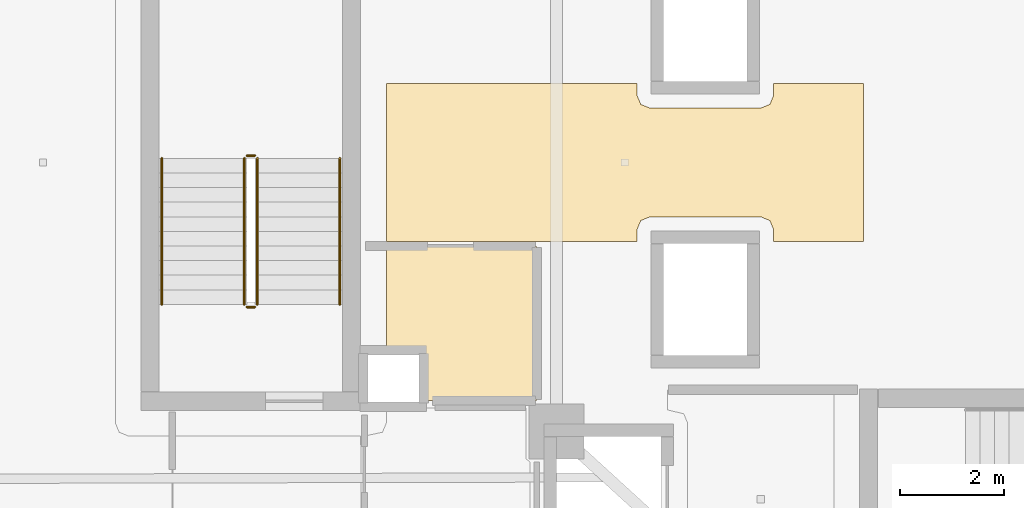
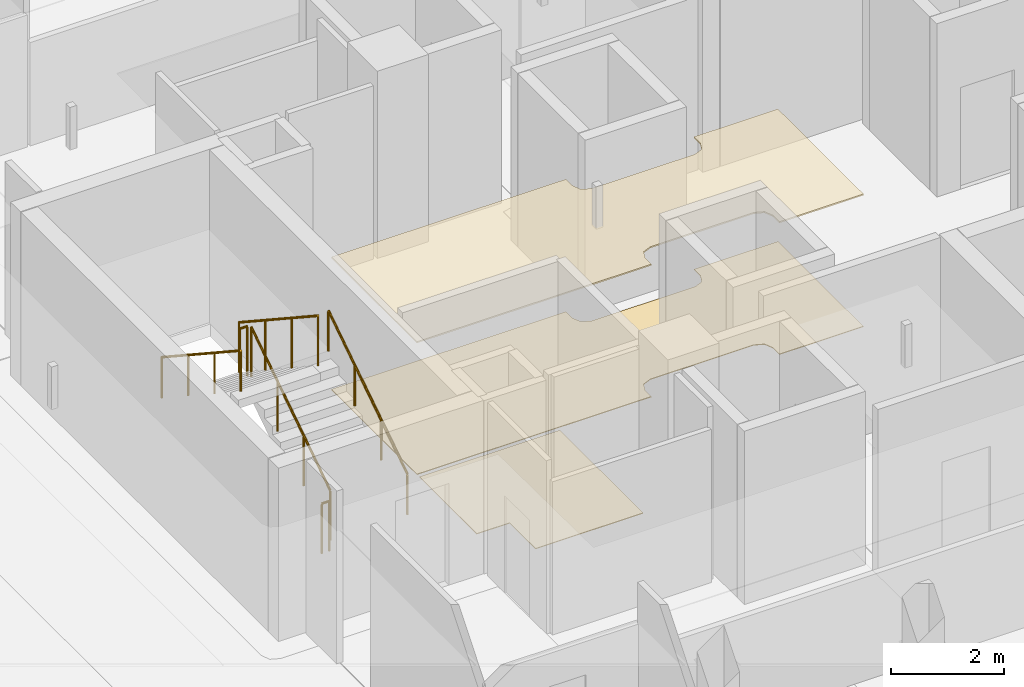
# One storey, part 31 of 36: 6 railings, 3 coverings.
"""IFC4 building model written with IfcOpenShell, lengths in metres."""

from ifc_helpers import new_model, si_unit, direction, frame, origin, origin_2d, place, context, subcontext, project, spatial, polyline, circle, outline, extrude, material, layer, layer_set, type_object, element, save


model = new_model("IFC4")

# Units and contexts
model_context = context("Model", 3, precision=1e-05, world=origin(), true_north=direction((0.0, 1.0)))
body_context = subcontext(model_context, "Body", "Model", "MODEL_VIEW")
ifc_project = project(units=[si_unit("LENGTHUNIT", "METRE"), si_unit("AREAUNIT", "SQUARE_METRE"), si_unit("VOLUMEUNIT", "CUBIC_METRE"), si_unit("PLANEANGLEUNIT", "RADIAN"), si_unit("MASSUNIT", "GRAM", prefix="KILO")], contexts=[model_context])

# Site, building, storey
site_placement = place(None, origin())
site = spatial("IfcSite", under=ifc_project, at=site_placement, CompositionType="ELEMENT")
building_placement = place(site_placement, origin())
building = spatial("IfcBuilding", under=site, at=building_placement, Name="Qorvath Tower", CompositionType="ELEMENT")
storey_placement = place(building_placement, frame((0.0, 0.0, 170.550048828125)))
storey = spatial("IfcBuildingStorey", under=building, at=storey_placement, Name="L39", CompositionType="ELEMENT", Elevation=170.550048828125)

# Coverings
ifc_material_1 = material(Name="Acoustic mineral fibre ceiling tile", Category="gypsum")
ifc_layer_1 = layer(ifc_material_1, 0.030029296875)
ifc_layer_set_1 = layer_set([ifc_layer_1], Name="COV-CEIL")
covering_type_1 = type_object("IfcCoveringType", Name="COV-CEIL", PredefinedType="CEILING", material=ifc_layer_set_1)
covering_1_placement = place(storey_placement, frame((0.0, 0.0, 2.849853515625)))
element("IfcCovering", 1, at=covering_1_placement, inside=storey, type_object=covering_type_1, Name="L39 Suspended Acoustic Ceiling 009", PredefinedType="CEILING", context=body_context, shape_type="SweptSolid", body=[
    extrude(outline(polyline([(-24.621826171875, -1.514892578125), (-24.621826171875, 1.514892578125), (-26.340087890625, 1.514892578125), (-26.340087890625, 1.2900390625), (-26.413330078125, 1.11328125), (-26.590087890625, 1.0400390625), (-28.7099609375, 1.0400390625), (-28.88671875, 1.11328125), (-28.9599609375, 1.2900390625), (-28.9599609375, 1.514892578125), (-33.760009765625, 1.514892578125), (-33.760009765625, -1.514892578125), (-28.9599609375, -1.514892578125), (-28.9599609375, -1.2900390625), (-28.88671875, -1.11328125), (-28.7099609375, -1.0400390625), (-26.590087890625, -1.0400390625), (-26.413330078125, -1.11328125), (-26.340087890625, -1.2900390625), (-26.340087890625, -1.514892578125), (-24.621826171875, -1.514892578125)])), origin(), (0.0, 0.0, 1.0), 0.030029296875),
])
ifc_material_2 = material(Name="Low-VOC modular carpet tile", Category="textile")
ifc_layer_2 = layer(ifc_material_2, 0.014892578125)
ifc_layer_set_2 = layer_set([ifc_layer_2], Name="COV-FLOOR-CPT")
covering_type_2 = type_object("IfcCoveringType", Name="COV-FLOOR-CPT", PredefinedType="FLOORING", material=ifc_layer_set_2)
covering_2_placement = place(storey_placement, origin())
element("IfcCovering", 2, at=covering_2_placement, inside=storey, type_object=covering_type_2, Name="L39 Floor Finish 006", PredefinedType="FLOORING", context=body_context, shape_type="SweptSolid", body=[
    extrude(outline(polyline([(-30.885009765625, -4.554931640625), (-30.885009765625, -1.60498046875), (-33.760009765625, -1.60498046875), (-33.760009765625, -3.636962890625), (-33.08837890625, -3.638427734375), (-33.0869140625, -4.554931640625), (-30.885009765625, -4.554931640625)])), origin(), (0.0, 0.0, 1.0), 0.014892578125),
])
ifc_material_3 = material(Name="Polished epoxy terrazzo flooring", Category="concrete")
ifc_layer_3 = layer(ifc_material_3, 0.02001953125)
ifc_layer_set_3 = layer_set([ifc_layer_3], Name="COV-FLOOR-TRZ")
covering_type_3 = type_object("IfcCoveringType", Name="COV-FLOOR-TRZ", PredefinedType="FLOORING", material=ifc_layer_set_3)
covering_3_placement = place(storey_placement, origin())
element("IfcCovering", 3, at=covering_3_placement, inside=storey, type_object=covering_type_3, Name="L39 Floor Finish 009", PredefinedType="FLOORING", context=body_context, shape_type="SweptSolid", body=[
    extrude(outline(polyline([(-24.621826171875, -1.514892578125), (-24.621826171875, 1.514892578125), (-26.340087890625, 1.514892578125), (-26.340087890625, 1.2900390625), (-26.413330078125, 1.11328125), (-26.590087890625, 1.0400390625), (-28.7099609375, 1.0400390625), (-28.88671875, 1.11328125), (-28.9599609375, 1.2900390625), (-28.9599609375, 1.514892578125), (-33.760009765625, 1.514892578125), (-33.760009765625, -1.514892578125), (-28.9599609375, -1.514892578125), (-28.9599609375, -1.2900390625), (-28.88671875, -1.11328125), (-28.7099609375, -1.0400390625), (-26.590087890625, -1.0400390625), (-26.413330078125, -1.11328125), (-26.340087890625, -1.2900390625), (-26.340087890625, -1.514892578125), (-24.621826171875, -1.514892578125)])), origin(), (0.0, 0.0, 1.0), 0.014892578125),
])

# Railings
ifc_material_4 = material(Name="Painted galvanised steel", Category="steel")
railing_type_1 = type_object("IfcRailingType", Name="RL-STR-GRD", PredefinedType="GUARDRAIL", material=ifc_material_4)
railing_1_placement = place(storey_placement, frame((-36.22998046875, -2.719970703125, 0.18408203125)))
element("IfcRailing", 4, at=railing_1_placement, inside=storey, type_object=railing_type_1, Name="L39 TS3 stair guard 1", PredefinedType="GUARDRAIL", context=body_context, shape_type="SweptSolid", body=[
    extrude(circle(Radius=0.02392578125, at=origin_2d()), frame((0.0, 0.0, 1.076171875), z_axis=(0.0, 0.835597507184, 0.549342157483), x_axis=(-1.0, 0.0, 0.0)), (0.0, 0.0, 1.0), 3.35107421875),
    extrude(circle(Radius=0.02099609375, at=origin_2d()), origin(), (0.0, 0.0, 1.0), 1.052001953125),
    extrude(circle(Radius=0.02099609375, at=origin_2d()), frame((0.0, 0.933349609375, 0.613525390625)), (0.0, 0.0, 1.0), 1.052001953125),
    extrude(circle(Radius=0.02099609375, at=origin_2d()), frame((0.0, 1.86669921875, 1.227294921875)), (0.0, 0.0, 1.0), 1.052001953125),
    extrude(circle(Radius=0.02099609375, at=origin_2d()), frame((0.0, 2.800048828125, 1.8408203125)), (0.0, 0.0, 1.0), 1.052001953125),
])
railing_2_placement = place(storey_placement, frame((-36.280029296875, 0.1298828125, 2.02490234375)))
element("IfcRailing", 5, at=railing_2_placement, inside=storey, type_object=railing_type_1, Name="L39 TS3 stair guard 2", PredefinedType="GUARDRAIL", context=body_context, shape_type="SweptSolid", body=[
    extrude(circle(Radius=0.02392578125, at=origin_2d()), frame((0.0, 0.0, 1.076171875), z_axis=(-1.0, 0.0, 0.0), x_axis=(0.0, -1.0, 0.0)), (0.0, 0.0, 1.0), 0.14990234375),
    extrude(circle(Radius=0.02099609375, at=origin_2d()), origin(), (0.0, 0.0, 1.0), 1.052001953125),
    extrude(circle(Radius=0.02099609375, at=origin_2d()), frame((-0.14990234375, 0.0, 0.0)), (0.0, 0.0, 1.0), 1.052001953125),
])
railing_3_placement = place(storey_placement, frame((-36.47998046875, 0.080078125, 2.208984375)))
element("IfcRailing", 6, at=railing_3_placement, inside=storey, type_object=railing_type_1, Name="L39 TS3 stair guard 3", PredefinedType="GUARDRAIL", context=body_context, shape_type="SweptSolid", body=[
    extrude(circle(Radius=0.02392578125, at=origin_2d()), frame((0.0, 0.0, 1.076171875), z_axis=(0.0, -0.83556406348, 0.549393024911), x_axis=(1.0, 0.0, 0.0)), (0.0, 0.0, 1.0), 3.35107421875),
    extrude(circle(Radius=0.02099609375, at=origin_2d()), origin(), (0.0, 0.0, 1.0), 1.052001953125),
    extrude(circle(Radius=0.02099609375, at=origin_2d()), frame((0.0, -0.933349609375, 0.61376953125)), (0.0, 0.0, 1.0), 1.052001953125),
    extrude(circle(Radius=0.02099609375, at=origin_2d()), frame((0.0, -1.86669921875, 1.227294921875)), (0.0, 0.0, 1.0), 1.052001953125),
    extrude(circle(Radius=0.02099609375, at=origin_2d()), frame((0.0, -2.800048828125, 1.841064453125)), (0.0, 0.0, 1.0), 1.052001953125),
])
railing_4_placement = place(storey_placement, frame((-36.280029296875, -2.77001953125, 0.0)))
element("IfcRailing", 7, at=railing_4_placement, inside=storey, type_object=railing_type_1, Name="L39 TS3 stair guard 4", PredefinedType="GUARDRAIL", context=body_context, shape_type="SweptSolid", body=[
    extrude(circle(Radius=0.02392578125, at=origin_2d()), frame((0.0, 0.0, 1.076171875), z_axis=(-1.0, 0.0, 0.0), x_axis=(0.0, -1.0, 0.0)), (0.0, 0.0, 1.0), 0.14990234375),
    extrude(circle(Radius=0.02099609375, at=origin_2d()), origin(), (0.0, 0.0, 1.0), 1.052001953125),
    extrude(circle(Radius=0.02099609375, at=origin_2d()), frame((-0.14990234375, 0.0, 0.0)), (0.0, 0.0, 1.0), 1.052001953125),
])
ifc_material_5 = material(Name="Brushed stainless steel AISI 304", Category="steel")
railing_type_2 = type_object("IfcRailingType", Name="RL-STR-HND", PredefinedType="HANDRAIL", material=ifc_material_5)
railing_5_placement = place(storey_placement, frame((-34.64990234375, -2.719970703125, 0.18408203125)))
element("IfcRailing", 8, at=railing_5_placement, inside=storey, type_object=railing_type_2, Name="L39 TS3 stair handrail 1", PredefinedType="HANDRAIL", context=body_context, shape_type="SweptSolid", body=[
    extrude(circle(Radius=0.02392578125, at=origin_2d()), frame((0.0, 0.0, 0.8759765625), z_axis=(0.0, 0.835597507184, 0.549342157483), x_axis=(-1.0, 0.0, 0.0)), (0.0, 0.0, 1.0), 3.35107421875),
    extrude(circle(Radius=0.02099609375, at=origin_2d()), origin(), (0.0, 0.0, 1.0), 0.851806640625),
    extrude(circle(Radius=0.02099609375, at=origin_2d()), frame((0.0, 0.933349609375, 0.613525390625)), (0.0, 0.0, 1.0), 0.851806640625),
    extrude(circle(Radius=0.02099609375, at=origin_2d()), frame((0.0, 1.86669921875, 1.227294921875)), (0.0, 0.0, 1.0), 0.851806640625),
    extrude(circle(Radius=0.02099609375, at=origin_2d()), frame((0.0, 2.800048828125, 1.8408203125)), (0.0, 0.0, 1.0), 0.851806640625),
])
railing_6_placement = place(storey_placement, frame((-38.06005859375, 0.080078125, 2.208984375)))
element("IfcRailing", 9, at=railing_6_placement, inside=storey, type_object=railing_type_2, Name="L39 TS3 stair handrail 2", PredefinedType="HANDRAIL", context=body_context, shape_type="SweptSolid", body=[
    extrude(circle(Radius=0.02392578125, at=origin_2d()), frame((0.0, 0.0, 0.8759765625), z_axis=(0.0, -0.83556406348, 0.549393024911), x_axis=(1.0, 0.0, 0.0)), (0.0, 0.0, 1.0), 3.35107421875),
    extrude(circle(Radius=0.02099609375, at=origin_2d()), origin(), (0.0, 0.0, 1.0), 0.851806640625),
    extrude(circle(Radius=0.02099609375, at=origin_2d()), frame((0.0, -0.933349609375, 0.61376953125)), (0.0, 0.0, 1.0), 0.851806640625),
    extrude(circle(Radius=0.02099609375, at=origin_2d()), frame((0.0, -1.86669921875, 1.227294921875)), (0.0, 0.0, 1.0), 0.851806640625),
    extrude(circle(Radius=0.02099609375, at=origin_2d()), frame((0.0, -2.800048828125, 1.841064453125)), (0.0, 0.0, 1.0), 0.851806640625),
])

save(model, "model.ifc")
